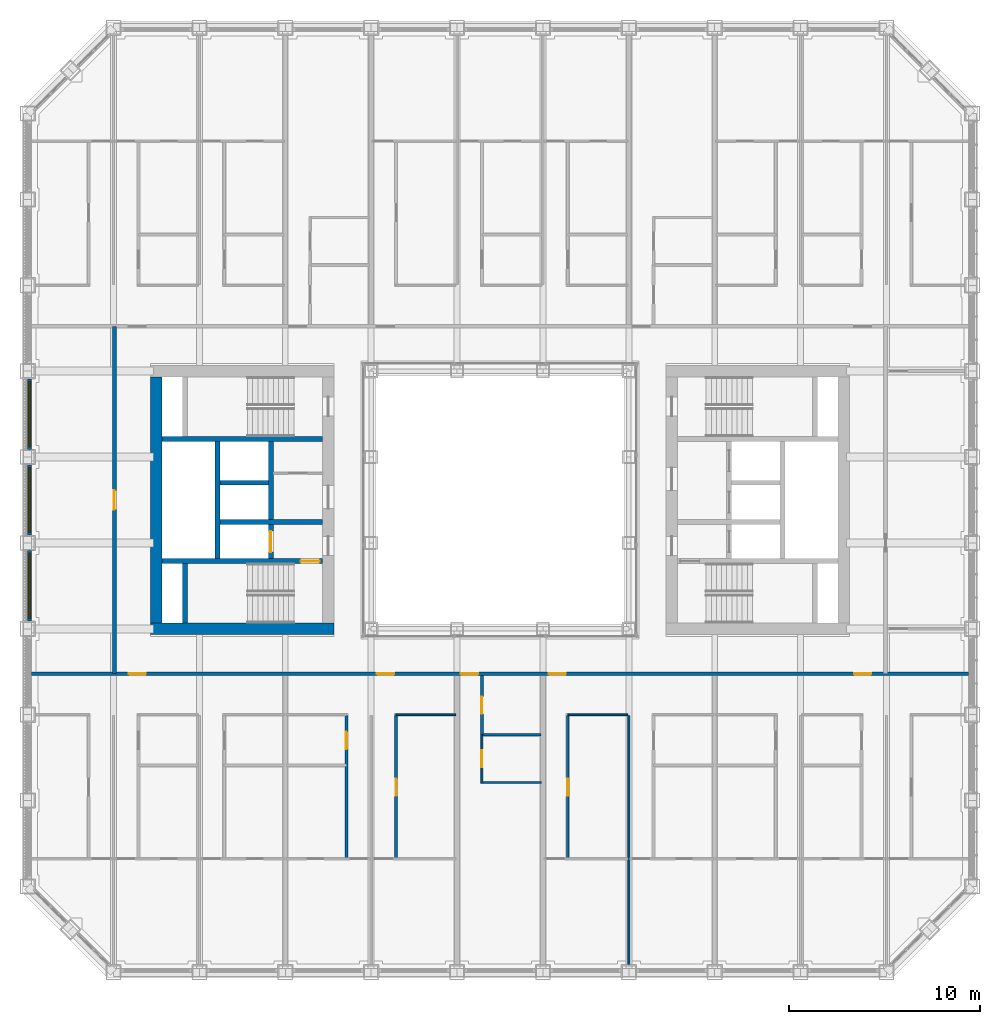
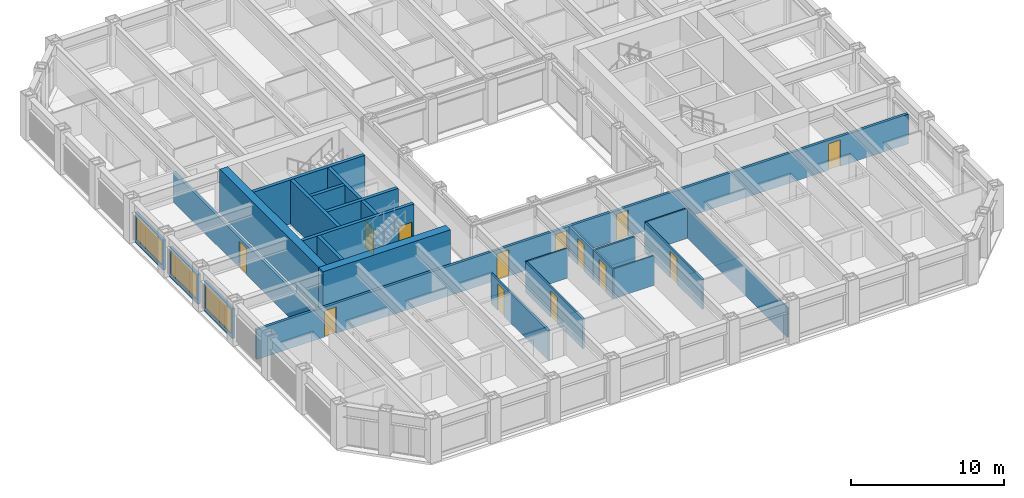
# One storey, part 10 of 20: 24 walls, 13 doors, 3 windows, 16 openings.
"""IFC4 building model written with IfcOpenShell, lengths in metres."""

from ifc_helpers import new_model, si_unit, direction, frame, frame_2d, origin, place, context, subcontext, project, spatial, rectangle, extrude, material, layer, layer_set, type_object, element, fill, save


model = new_model("IFC4")

# Units and contexts
model_context = context("Model", 3, precision=1e-05, world=origin(), true_north=direction((0.0, 1.0)))
body_context = subcontext(model_context, "Body", "Model", "MODEL_VIEW")
ifc_project = project(units=[si_unit("LENGTHUNIT", "METRE"), si_unit("AREAUNIT", "SQUARE_METRE"), si_unit("VOLUMEUNIT", "CUBIC_METRE"), si_unit("PLANEANGLEUNIT", "RADIAN"), si_unit("MASSUNIT", "GRAM", prefix="KILO")], contexts=[model_context])

# Site, building, storey
site_placement = place(None, origin())
site = spatial("IfcSite", under=ifc_project, at=site_placement, CompositionType="ELEMENT")
building_placement = place(site_placement, origin())
building = spatial("IfcBuilding", under=site, at=building_placement, Name="Msasa Ring Tower", CompositionType="ELEMENT")
storey_placement = place(building_placement, frame((0.0, 0.0, 61.5)))
storey = spatial("IfcBuildingStorey", under=building, at=storey_placement, Name="L15", CompositionType="ELEMENT", Elevation=61.5)

# Walls
ifc_material_1 = material(Name="Concrete C60/75", Category="concrete")
ifc_layer_1 = layer(ifc_material_1, 0.60009765625)
ifc_layer_set_1 = layer_set([ifc_layer_1], Name="CW1 CORE WALL 600")
wall_type_1 = type_object("IfcWallType", Name="CW1 CORE WALL 600", PredefinedType="SHEAR", material=ifc_layer_set_1)
wall_1_placement = place(storey_placement, frame((-8.699951171875, -6.75, 0.0), z_axis=(0.0, 0.0, 1.0), x_axis=(-1.0, 0.0, 0.0)))
element("IfcWall", 1, at=wall_1_placement, inside=storey, type_object=wall_type_1, Name="W core wall S L15", PredefinedType="SHEAR", context=body_context, shape_type="SweptSolid", body=[
    extrude(rectangle(XDim=9.60009765625, YDim=0.60009765625, at=frame_2d((4.800048828125, 0.0))), origin(), (0.0, 0.0, 1.0), 3.5),
])
wall_2_placement = place(storey_placement, frame((-18.0, -6.449951171875, 0.0), z_axis=(0.0, 0.0, 1.0), x_axis=(0.0, 1.0, 0.0)))
element("IfcWall", 2, at=wall_2_placement, inside=storey, type_object=wall_type_1, Name="W core wall E L15", PredefinedType="SHEAR", context=body_context, shape_type="SweptSolid", body=[
    extrude(rectangle(XDim=12.89990234375, YDim=0.60009765625, at=frame_2d((6.449951171875, 0.0))), origin(), (0.0, 0.0, 1.0), 3.5),
])

# Wall, opening, door
ifc_material_2 = material(Name="Concrete C60/75", Category="concrete")
ifc_layer_2 = layer(ifc_material_2, 0.25)
ifc_layer_set_2 = layer_set([ifc_layer_2], Name="CW4 CORE INNER WALL 250")
wall_type_2 = type_object("IfcWallType", Name="CW4 CORE INNER WALL 250", PredefinedType="SHEAR", material=ifc_layer_set_2)
wall_3_placement = place(storey_placement, frame((-9.300048828125, -3.199951171875, 0.0), z_axis=(0.0, 0.0, 1.0), x_axis=(-1.0, 0.0, 0.0)))
wall_3 = element("IfcWall", 3, at=wall_3_placement, inside=storey, type_object=wall_type_2, Name="W core wall STAIRA L15", PredefinedType="SHEAR", context=body_context, shape_type="SweptSolid", body=[
    extrude(rectangle(XDim=8.39990234375, YDim=0.25, at=frame_2d((4.199951171875, 0.0))), origin(), (0.0, 0.0, 1.0), 3.5),
])
opening_1_placement = place(wall_3_placement, frame((0.14990234375, 0.0, 0.0)))
opening_1 = element("IfcOpeningElement", 4, at=opening_1_placement, cuts=wall_3, Name="Opening RD-044", PredefinedType="OPENING", context=body_context, shape_type="SweptSolid", body=[
    extrude(rectangle(XDim=1.0, YDim=2.10009765625, at=frame_2d((0.5, 1.050048828125))), frame((0.0, 0.135009765625, 0.0), z_axis=(0.0, -1.0, 0.0), x_axis=(1.0, 0.0, 0.0)), (0.0, 0.0, 1.0), 0.27001953125),
])
ifc_material_3 = material(Name="Timber door leaf in a steel frame", Category="steel")
door_type_1 = type_object("IfcDoorType", Name="D6 STAIR DOOR 1000x2100", OperationType="SINGLE_SWING_LEFT", PredefinedType="DOOR", material=ifc_material_3)
door_1_placement = place(opening_1_placement, origin())
door_1 = element("IfcDoor", 5, at=door_1_placement, inside=storey, type_object=door_type_1, Name="Door L15-WSTA", OperationType="SINGLE_SWING_LEFT", OverallHeight=2.10009765625, OverallWidth=1.0, PredefinedType="DOOR", context=body_context, shape_type="SweptSolid", body=[
    extrude(rectangle(XDim=1.0, YDim=2.10009765625, at=frame_2d((0.5, 1.050048828125))), frame((0.0, 0.02490234375, 0.0), z_axis=(0.0, -1.0, 0.0), x_axis=(1.0, 0.0, 0.0)), (0.0, 0.0, 1.0), 0.050048828125),
])
fill(opening_1, door_1)

# Walls
wall_4_placement = place(storey_placement, frame((-9.300048828125, 3.199951171875, 0.0), z_axis=(0.0, 0.0, 1.0), x_axis=(-1.0, 0.0, 0.0)))
element("IfcWall", 6, at=wall_4_placement, inside=storey, type_object=wall_type_2, Name="W core wall STAIRB L15", PredefinedType="SHEAR", context=body_context, shape_type="SweptSolid", body=[
    extrude(rectangle(XDim=8.39990234375, YDim=0.25, at=frame_2d((4.199951171875, 0.0))), origin(), (0.0, 0.0, 1.0), 3.5),
])
wall_5_placement = place(storey_placement, frame((-16.5, -6.449951171875, 0.0), z_axis=(0.0, 0.0, 1.0), x_axis=(0.0, 1.0, 0.0)))
element("IfcWall", 7, at=wall_5_placement, inside=storey, type_object=wall_type_2, Name="W core wall RISERA L15", PredefinedType="SHEAR", context=body_context, shape_type="SweptSolid", body=[
    extrude(rectangle(XDim=3.125, YDim=0.25, at=frame_2d((1.5625, 0.0))), origin(), (0.0, 0.0, 1.0), 3.5),
])
wall_6_placement = place(storey_placement, frame((-9.300048828125, -1.14990234375, 0.0), z_axis=(0.0, 0.0, 1.0), x_axis=(-1.0, 0.0, 0.0)))
element("IfcWall", 8, at=wall_6_placement, inside=storey, type_object=wall_type_2, Name="W core wall FFL L15", PredefinedType="SHEAR", context=body_context, shape_type="SweptSolid", body=[
    extrude(rectangle(XDim=5.375, YDim=0.25, at=frame_2d((2.6875, 0.0))), origin(), (0.0, 0.0, 1.0), 3.5),
])

# Wall, opening, door
wall_7_placement = place(storey_placement, frame((-12.0, -3.074951171875, 0.0), z_axis=(0.0, 0.0, 1.0), x_axis=(0.0, 1.0, 0.0)))
wall_7 = element("IfcWall", 9, at=wall_7_placement, inside=storey, type_object=wall_type_2, Name="W core wall LOBBY L15", PredefinedType="SHEAR", context=body_context, shape_type="SweptSolid", body=[
    extrude(rectangle(XDim=6.14990234375, YDim=0.25, at=frame_2d((3.074951171875, 0.0))), origin(), (0.0, 0.0, 1.0), 3.5),
])
opening_2_placement = place(wall_7_placement, frame((0.35009765625, 0.0, 0.0)))
opening_2 = element("IfcOpeningElement", 10, at=opening_2_placement, cuts=wall_7, Name="Opening LD1", PredefinedType="OPENING", context=body_context, shape_type="SweptSolid", body=[
    extrude(rectangle(XDim=1.10009765625, YDim=2.10009765625, at=frame_2d((0.550048828125, 1.050048828125))), frame((0.0, 0.135009765625, 0.0), z_axis=(0.0, -1.0, 0.0), x_axis=(1.0, 0.0, 0.0)), (0.0, 0.0, 1.0), 0.27001953125),
])
ifc_material_4 = material(Name="Stainless steel lift landing door", Category="steel")
door_type_2 = type_object("IfcDoorType", Name="LD1 LIFT LANDING DOOR 1100x2100", OperationType="DOUBLE_DOOR_SLIDING", PredefinedType="DOOR", material=ifc_material_4)
door_2_placement = place(opening_2_placement, origin())
door_2 = element("IfcDoor", 11, at=door_2_placement, inside=storey, type_object=door_type_2, Name="Lift landing door FL-W L15", OperationType="DOUBLE_DOOR_SLIDING", OverallHeight=2.10009765625, OverallWidth=1.10009765625, PredefinedType="DOOR", context=body_context, shape_type="SweptSolid", body=[
    extrude(rectangle(XDim=1.10009765625, YDim=2.10009765625, at=frame_2d((0.550048828125, 1.050048828125))), frame((0.0, 0.02490234375, 0.0), z_axis=(0.0, -1.0, 0.0), x_axis=(1.0, 0.0, 0.0)), (0.0, 0.0, 1.0), 0.050048828125),
])
fill(opening_2, door_2)

# Walls
wall_8_placement = place(storey_placement, frame((-14.800048828125, -3.074951171875, 0.0), z_axis=(0.0, 0.0, 1.0), x_axis=(0.0, 1.0, 0.0)))
element("IfcWall", 12, at=wall_8_placement, inside=storey, type_object=wall_type_2, Name="W core wall SHAFT L15", PredefinedType="SHEAR", context=body_context, shape_type="SweptSolid", body=[
    extrude(rectangle(XDim=6.14990234375, YDim=0.25, at=frame_2d((3.074951171875, 0.0))), origin(), (0.0, 0.0, 1.0), 3.5),
])
wall_9_placement = place(storey_placement, frame((-12.125, 0.89990234375, 0.0), z_axis=(0.0, 0.0, 1.0), x_axis=(-1.0, 0.0, 0.0)))
element("IfcWall", 13, at=wall_9_placement, inside=storey, type_object=wall_type_2, Name="W core wall LIFT1 L15", PredefinedType="SHEAR", context=body_context, shape_type="SweptSolid", body=[
    extrude(rectangle(XDim=2.550048828125, YDim=0.25, at=frame_2d((1.27490234375, 0.0))), origin(), (0.0, 0.0, 1.0), 3.5),
])

# Wall, opening, window
ifc_material_5 = material(Name="Terracotta rainscreen on blockwork", Category="masonry")
ifc_layer_3 = layer(ifc_material_5, 0.199951171875)
ifc_layer_set_3 = layer_set([ifc_layer_3], Name="FW1 TERRACOTTA-LINED INFILL BAY WALL 200")
wall_type_3 = type_object("IfcWallType", Name="FW1 TERRACOTTA-LINED INFILL BAY WALL 200", PredefinedType="SOLIDWALL", material=ifc_layer_set_3)
wall_10_placement = place(storey_placement, frame((-24.64990234375, -6.344970703125, 0.0), z_axis=(0.0, 0.0, 1.0), x_axis=(0.0, 1.0, 0.0)))
wall_10 = element("IfcWall", 14, at=wall_10_placement, inside=storey, type_object=wall_type_3, Name="Infill bay wall W L15 36", PredefinedType="SOLIDWALL", context=body_context, shape_type="SweptSolid", body=[
    extrude(rectangle(XDim=3.68994140625, YDim=0.199951171875, at=frame_2d((1.844970703125, 0.0))), origin(), (0.0, 0.0, 1.0), 2.37890625),
])
opening_3_placement = place(wall_10_placement, frame((0.14501953125, 0.0, 0.300048828125)))
opening_3 = element("IfcOpeningElement", 15, at=opening_3_placement, cuts=wall_10, Name="Opening WN1", PredefinedType="OPENING", context=body_context, shape_type="SweptSolid", body=[
    extrude(rectangle(XDim=3.39990234375, YDim=1.928955078125, at=frame_2d((1.699951171875, 0.96435546875))), frame((0.0, 0.10986328125, 0.0), z_axis=(0.0, -1.0, 0.0), x_axis=(1.0, 0.0, 0.0)), (0.0, 0.0, 1.0), 0.219970703125),
])
ifc_material_6 = material(Name="Aluminium frame with clear glass", Category="aluminium")
window_type = type_object("IfcWindowType", Name="WN1 RESIDENCE WINDOW 3400x1929", PartitioningType="SINGLE_PANEL", PredefinedType="WINDOW", material=ifc_material_6)
window_1_placement = place(opening_3_placement, origin())
window_1 = element("IfcWindow", 16, at=window_1_placement, inside=storey, type_object=window_type, Name="Window W L15 36", OverallHeight=1.928955078125, OverallWidth=3.39990234375, PartitioningType="SINGLE_PANEL", PredefinedType="WINDOW", context=body_context, shape_type="SweptSolid", body=[
    extrude(rectangle(XDim=3.39990234375, YDim=1.928955078125, at=frame_2d((1.699951171875, 0.96435546875))), frame((0.0, 0.030029296875, 0.0), z_axis=(0.0, -1.0, 0.0), x_axis=(1.0, 0.0, 0.0)), (0.0, 0.0, 1.0), 0.06005859375),
])
fill(opening_3, window_1)

wall_11_placement = place(storey_placement, frame((-24.64990234375, -1.844970703125, 0.0), z_axis=(0.0, 0.0, 1.0), x_axis=(0.0, 1.0, 0.0)))
wall_11 = element("IfcWall", 17, at=wall_11_placement, inside=storey, type_object=wall_type_3, Name="Infill bay wall W L15 37", PredefinedType="SOLIDWALL", context=body_context, shape_type="SweptSolid", body=[
    extrude(rectangle(XDim=3.68994140625, YDim=0.199951171875, at=frame_2d((1.844970703125, 0.0))), origin(), (0.0, 0.0, 1.0), 2.37890625),
])
opening_4_placement = place(wall_11_placement, frame((0.14501953125, 0.0, 0.300048828125)))
opening_4 = element("IfcOpeningElement", 18, at=opening_4_placement, cuts=wall_11, Name="Opening WN1", PredefinedType="OPENING", context=body_context, shape_type="SweptSolid", body=[
    extrude(rectangle(XDim=3.39990234375, YDim=1.928955078125, at=frame_2d((1.699951171875, 0.96435546875))), frame((0.0, 0.10986328125, 0.0), z_axis=(0.0, -1.0, 0.0), x_axis=(1.0, 0.0, 0.0)), (0.0, 0.0, 1.0), 0.219970703125),
])
window_2_placement = place(opening_4_placement, origin())
window_2 = element("IfcWindow", 19, at=window_2_placement, inside=storey, type_object=window_type, Name="Window W L15 37", OverallHeight=1.928955078125, OverallWidth=3.39990234375, PartitioningType="SINGLE_PANEL", PredefinedType="WINDOW", context=body_context, shape_type="SweptSolid", body=[
    extrude(rectangle(XDim=3.39990234375, YDim=1.928955078125, at=frame_2d((1.699951171875, 0.96435546875))), frame((0.0, 0.030029296875, 0.0), z_axis=(0.0, -1.0, 0.0), x_axis=(1.0, 0.0, 0.0)), (0.0, 0.0, 1.0), 0.06005859375),
])
fill(opening_4, window_2)

wall_12_placement = place(storey_placement, frame((-24.64990234375, 2.655029296875, 0.0), z_axis=(0.0, 0.0, 1.0), x_axis=(0.0, 1.0, 0.0)))
wall_12 = element("IfcWall", 20, at=wall_12_placement, inside=storey, type_object=wall_type_3, Name="Infill bay wall W L15 38", PredefinedType="SOLIDWALL", context=body_context, shape_type="SweptSolid", body=[
    extrude(rectangle(XDim=3.68994140625, YDim=0.199951171875, at=frame_2d((1.844970703125, 0.0))), origin(), (0.0, 0.0, 1.0), 2.37890625),
])
opening_5_placement = place(wall_12_placement, frame((0.14501953125, 0.0, 0.300048828125)))
opening_5 = element("IfcOpeningElement", 21, at=opening_5_placement, cuts=wall_12, Name="Opening WN1", PredefinedType="OPENING", context=body_context, shape_type="SweptSolid", body=[
    extrude(rectangle(XDim=3.39990234375, YDim=1.928955078125, at=frame_2d((1.699951171875, 0.96435546875))), frame((0.0, 0.10986328125, 0.0), z_axis=(0.0, -1.0, 0.0), x_axis=(1.0, 0.0, 0.0)), (0.0, 0.0, 1.0), 0.219970703125),
])
window_3_placement = place(opening_5_placement, origin())
window_3 = element("IfcWindow", 22, at=window_3_placement, inside=storey, type_object=window_type, Name="Window W L15 38", OverallHeight=1.928955078125, OverallWidth=3.39990234375, PartitioningType="SINGLE_PANEL", PredefinedType="WINDOW", context=body_context, shape_type="SweptSolid", body=[
    extrude(rectangle(XDim=3.39990234375, YDim=1.928955078125, at=frame_2d((1.699951171875, 0.96435546875))), frame((0.0, 0.030029296875, 0.0), z_axis=(0.0, -1.0, 0.0), x_axis=(1.0, 0.0, 0.0)), (0.0, 0.0, 1.0), 0.06005859375),
])
fill(opening_5, window_3)

# Wall, openings, doors
ifc_material_7 = material(Name="Concrete blockwork", Category="masonry")
ifc_layer_4 = layer(ifc_material_7, 0.199951171875)
ifc_layer_set_4 = layer_set([ifc_layer_4], Name="PT1 CORRIDOR WALL 200")
wall_type_4 = type_object("IfcWallType", Name="PT1 CORRIDOR WALL 200", PredefinedType="PARTITIONING", material=ifc_layer_set_4)
wall_13_placement = place(storey_placement, frame((-24.550048828125, -9.10009765625, 0.0), z_axis=(0.0, 0.0, 1.0), x_axis=(1.0, 0.0, 0.0)))
wall_13 = element("IfcWall", 23, at=wall_13_placement, inside=storey, type_object=wall_type_4, Name="Corridor wall L15-CORRS0", PredefinedType="PARTITIONING", context=body_context, shape_type="SweptSolid", body=[
    extrude(rectangle(XDim=49.10009765625, YDim=0.199951171875, at=frame_2d((24.550048828125, 0.0))), origin(), (0.0, 0.0, 1.0), 2.373291015625),
])
opening_6_placement = place(wall_13_placement, frame((5.10009765625, 0.0, 0.0)))
opening_6 = element("IfcOpeningElement", 24, at=opening_6_placement, cuts=wall_13, Name="Opening RD-047", PredefinedType="OPENING", context=body_context, shape_type="SweptSolid", body=[
    extrude(rectangle(XDim=0.89990234375, YDim=2.10009765625, at=frame_2d((0.449951171875, 1.050048828125))), frame((0.0, 0.10986328125, 0.0), z_axis=(0.0, -1.0, 0.0), x_axis=(1.0, 0.0, 0.0)), (0.0, 0.0, 1.0), 0.219970703125),
])
opening_7_placement = place(wall_13_placement, frame((18.10009765625, 0.0, 0.0)))
opening_7 = element("IfcOpeningElement", 25, at=opening_7_placement, cuts=wall_13, Name="Opening RD-048", PredefinedType="OPENING", context=body_context, shape_type="SweptSolid", body=[
    extrude(rectangle(XDim=0.89990234375, YDim=2.10009765625, at=frame_2d((0.449951171875, 1.050048828125))), frame((0.0, 0.10986328125, 0.0), z_axis=(0.0, -1.0, 0.0), x_axis=(1.0, 0.0, 0.0)), (0.0, 0.0, 1.0), 0.219970703125),
])
opening_8_placement = place(wall_13_placement, frame((22.5, 0.0, 0.0)))
opening_8 = element("IfcOpeningElement", 26, at=opening_8_placement, cuts=wall_13, Name="Opening RD-049", PredefinedType="OPENING", context=body_context, shape_type="SweptSolid", body=[
    extrude(rectangle(XDim=0.89990234375, YDim=2.10009765625, at=frame_2d((0.449951171875, 1.050048828125))), frame((0.0, 0.10986328125, 0.0), z_axis=(0.0, -1.0, 0.0), x_axis=(1.0, 0.0, 0.0)), (0.0, 0.0, 1.0), 0.219970703125),
])
opening_9_placement = place(wall_13_placement, frame((27.10009765625, 0.0, 0.0)))
opening_9 = element("IfcOpeningElement", 27, at=opening_9_placement, cuts=wall_13, Name="Opening RD-050", PredefinedType="OPENING", context=body_context, shape_type="SweptSolid", body=[
    extrude(rectangle(XDim=0.89990234375, YDim=2.10009765625, at=frame_2d((0.449951171875, 1.050048828125))), frame((0.0, 0.10986328125, 0.0), z_axis=(0.0, -1.0, 0.0), x_axis=(1.0, 0.0, 0.0)), (0.0, 0.0, 1.0), 0.219970703125),
])
opening_10_placement = place(wall_13_placement, frame((43.10009765625, 0.0, 0.0)))
opening_10 = element("IfcOpeningElement", 28, at=opening_10_placement, cuts=wall_13, Name="Opening RD-051", PredefinedType="OPENING", context=body_context, shape_type="SweptSolid", body=[
    extrude(rectangle(XDim=0.89990234375, YDim=2.10009765625, at=frame_2d((0.449951171875, 1.050048828125))), frame((0.0, 0.10986328125, 0.0), z_axis=(0.0, -1.0, 0.0), x_axis=(1.0, 0.0, 0.0)), (0.0, 0.0, 1.0), 0.219970703125),
])
ifc_material_8 = material(Name="Timber door leaf in a steel frame", Category="steel")
door_type_3 = type_object("IfcDoorType", Name="D2 ENTRANCE DOOR 900x2100", OperationType="SINGLE_SWING_LEFT", PredefinedType="DOOR", material=ifc_material_8)
door_3_placement = place(opening_6_placement, origin())
door_3 = element("IfcDoor", 29, at=door_3_placement, inside=storey, type_object=door_type_3, Name="Door L15-US00", OperationType="SINGLE_SWING_LEFT", OverallHeight=2.10009765625, OverallWidth=0.89990234375, PredefinedType="DOOR", context=body_context, shape_type="SweptSolid", body=[
    extrude(rectangle(XDim=0.89990234375, YDim=2.10009765625, at=frame_2d((0.449951171875, 1.050048828125))), frame((0.0, 0.02490234375, 0.0), z_axis=(0.0, -1.0, 0.0), x_axis=(1.0, 0.0, 0.0)), (0.0, 0.0, 1.0), 0.050048828125),
])
fill(opening_6, door_3)
door_4_placement = place(opening_7_placement, origin())
door_4 = element("IfcDoor", 30, at=door_4_placement, inside=storey, type_object=door_type_3, Name="Door L15-US01", OperationType="SINGLE_SWING_LEFT", OverallHeight=2.10009765625, OverallWidth=0.89990234375, PredefinedType="DOOR", context=body_context, shape_type="SweptSolid", body=[
    extrude(rectangle(XDim=0.89990234375, YDim=2.10009765625, at=frame_2d((0.449951171875, 1.050048828125))), frame((0.0, 0.02490234375, 0.0), z_axis=(0.0, -1.0, 0.0), x_axis=(1.0, 0.0, 0.0)), (0.0, 0.0, 1.0), 0.050048828125),
])
fill(opening_7, door_4)
door_5_placement = place(opening_8_placement, origin())
door_5 = element("IfcDoor", 31, at=door_5_placement, inside=storey, type_object=door_type_3, Name="Door L15-US02", OperationType="SINGLE_SWING_LEFT", OverallHeight=2.10009765625, OverallWidth=0.89990234375, PredefinedType="DOOR", context=body_context, shape_type="SweptSolid", body=[
    extrude(rectangle(XDim=0.89990234375, YDim=2.10009765625, at=frame_2d((0.449951171875, 1.050048828125))), frame((0.0, 0.02490234375, 0.0), z_axis=(0.0, -1.0, 0.0), x_axis=(1.0, 0.0, 0.0)), (0.0, 0.0, 1.0), 0.050048828125),
])
fill(opening_8, door_5)
door_6_placement = place(opening_9_placement, origin())
door_6 = element("IfcDoor", 32, at=door_6_placement, inside=storey, type_object=door_type_3, Name="Door L15-US03", OperationType="SINGLE_SWING_RIGHT", OverallHeight=2.10009765625, OverallWidth=0.89990234375, PredefinedType="DOOR", context=body_context, shape_type="SweptSolid", body=[
    extrude(rectangle(XDim=0.89990234375, YDim=2.10009765625, at=frame_2d((0.449951171875, 1.050048828125))), frame((0.0, 0.02490234375, 0.0), z_axis=(0.0, -1.0, 0.0), x_axis=(1.0, 0.0, 0.0)), (0.0, 0.0, 1.0), 0.050048828125),
])
fill(opening_9, door_6)
door_7_placement = place(opening_10_placement, origin())
door_7 = element("IfcDoor", 33, at=door_7_placement, inside=storey, type_object=door_type_3, Name="Door L15-US04", OperationType="SINGLE_SWING_RIGHT", OverallHeight=2.10009765625, OverallWidth=0.89990234375, PredefinedType="DOOR", context=body_context, shape_type="SweptSolid", body=[
    extrude(rectangle(XDim=0.89990234375, YDim=2.10009765625, at=frame_2d((0.449951171875, 1.050048828125))), frame((0.0, 0.02490234375, 0.0), z_axis=(0.0, -1.0, 0.0), x_axis=(1.0, 0.0, 0.0)), (0.0, 0.0, 1.0), 0.050048828125),
])
fill(opening_10, door_7)

# Wall, opening, door
wall_14_placement = place(storey_placement, frame((-20.199951171875, -9.10009765625, 0.0), z_axis=(0.0, 0.0, 1.0), x_axis=(0.0, 1.0, 0.0)))
wall_14 = element("IfcWall", 34, at=wall_14_placement, inside=storey, type_object=wall_type_4, Name="Corridor wall L15-STRW", PredefinedType="PARTITIONING", context=body_context, shape_type="SweptSolid", body=[
    extrude(rectangle(XDim=18.2001953125, YDim=0.199951171875, at=frame_2d((9.10009765625, 0.0))), origin(), (0.0, 0.0, 1.0), 2.373291015625),
])
opening_11_placement = place(wall_14_placement, frame((8.60009765625, 0.0, 0.0)))
opening_11 = element("IfcOpeningElement", 35, at=opening_11_placement, cuts=wall_14, Name="Opening RD-040", PredefinedType="OPENING", context=body_context, shape_type="SweptSolid", body=[
    extrude(rectangle(XDim=1.0, YDim=2.10009765625, at=frame_2d((0.5, 1.050048828125))), frame((0.0, 0.10986328125, 0.0), z_axis=(0.0, -1.0, 0.0), x_axis=(1.0, 0.0, 0.0)), (0.0, 0.0, 1.0), 0.219970703125),
])
ifc_material_9 = material(Name="Timber door leaf in a steel frame", Category="steel")
door_type_4 = type_object("IfcDoorType", Name="D10 STORE DOOR 1000x2100", OperationType="SINGLE_SWING_LEFT", PredefinedType="DOOR", material=ifc_material_9)
door_8_placement = place(opening_11_placement, origin())
door_8 = element("IfcDoor", 36, at=door_8_placement, inside=storey, type_object=door_type_4, Name="Door L15-RSW", OperationType="SINGLE_SWING_LEFT", OverallHeight=2.10009765625, OverallWidth=1.0, PredefinedType="DOOR", context=body_context, shape_type="SweptSolid", body=[
    extrude(rectangle(XDim=1.0, YDim=2.10009765625, at=frame_2d((0.5, 1.050048828125))), frame((0.0, 0.02490234375, 0.0), z_axis=(0.0, -1.0, 0.0), x_axis=(1.0, 0.0, 0.0)), (0.0, 0.0, 1.0), 0.050048828125),
])
fill(opening_11, door_8)

# Walls
ifc_material_10 = material(Name="Gypsum board on steel studs", Category="steel")
ifc_layer_5 = layer(ifc_material_10, 0.10009765625)
ifc_layer_set_5 = layer_set([ifc_layer_5], Name="PT2 STUD PARTITION 100")
wall_type_5 = type_object("IfcWallType", Name="PT2 STUD PARTITION 100", PredefinedType="PARTITIONING", material=ifc_layer_set_5)
wall_15_placement = place(storey_placement, frame((-5.449951171875, -11.25, 0.0), z_axis=(0.0, 0.0, 1.0), x_axis=(1.0, 0.0, 0.0)))
element("IfcWall", 37, at=wall_15_placement, inside=storey, type_object=wall_type_5, Name="Partition L15-US01HY0", PredefinedType="PARTITIONING", context=body_context, shape_type="SweptSolid", body=[
    extrude(rectangle(XDim=3.139892578125, YDim=0.10009765625, at=frame_2d((1.56982421875, 0.0))), origin(), (0.0, 0.0, 1.0), 2.373291015625),
])
wall_16_placement = place(storey_placement, frame((-0.89990234375, -14.800048828125, 0.0), z_axis=(0.0, 0.0, 1.0), x_axis=(1.0, 0.0, 0.0)))
element("IfcWall", 38, at=wall_16_placement, inside=storey, type_object=wall_type_5, Name="Partition L15-US02KY", PredefinedType="PARTITIONING", context=body_context, shape_type="SweptSolid", body=[
    extrude(rectangle(XDim=3.0498046875, YDim=0.10009765625, at=frame_2d((1.52490234375, 0.0))), origin(), (0.0, 0.0, 1.0), 2.373291015625),
])

# Wall, opening, door
wall_17_placement = place(storey_placement, frame((-0.949951171875, -14.85009765625, 0.0), z_axis=(0.0, 0.0, 1.0), x_axis=(0.0, 1.0, 0.0)))
wall_17 = element("IfcWall", 39, at=wall_17_placement, inside=storey, type_object=wall_type_5, Name="Partition L15-US02KX", PredefinedType="PARTITIONING", context=body_context, shape_type="SweptSolid", body=[
    extrude(rectangle(XDim=2.550048828125, YDim=0.10009765625, at=frame_2d((1.27490234375, 0.0))), origin(), (0.0, 0.0, 1.0), 2.373291015625),
])
opening_12_placement = place(wall_17_placement, frame((0.840087890625, 0.0, 0.0)))
opening_12 = element("IfcOpeningElement", 40, at=opening_12_placement, cuts=wall_17, Name="Opening RD-059", PredefinedType="OPENING", context=body_context, shape_type="SweptSolid", body=[
    extrude(rectangle(XDim=0.89990234375, YDim=2.10009765625, at=frame_2d((0.449951171875, 1.050048828125))), frame((0.0, 0.06005859375, 0.0), z_axis=(0.0, -1.0, 0.0), x_axis=(1.0, 0.0, 0.0)), (0.0, 0.0, 1.0), 0.1201171875),
])
ifc_material_11 = material(Name="Timber door leaf in a steel frame", Category="steel")
door_type_5 = type_object("IfcDoorType", Name="D22 INTERNAL HALL DOOR 900x2100", OperationType="SINGLE_SWING_LEFT", PredefinedType="DOOR", material=ifc_material_11)
door_9_placement = place(opening_12_placement, origin())
door_9 = element("IfcDoor", 41, at=door_9_placement, inside=storey, type_object=door_type_5, Name="Door L15-US02K", OperationType="SINGLE_SWING_LEFT", OverallHeight=2.10009765625, OverallWidth=0.89990234375, PredefinedType="DOOR", context=body_context, shape_type="SweptSolid", body=[
    extrude(rectangle(XDim=0.89990234375, YDim=2.10009765625, at=frame_2d((0.449951171875, 1.050048828125))), frame((0.0, 0.02490234375, 0.0), z_axis=(0.0, -1.0, 0.0), x_axis=(1.0, 0.0, 0.0)), (0.0, 0.0, 1.0), 0.050048828125),
])
fill(opening_12, door_9)

# Walls
wall_18_placement = place(storey_placement, frame((3.550048828125, -11.25, 0.0), z_axis=(0.0, 0.0, 1.0), x_axis=(1.0, 0.0, 0.0)))
element("IfcWall", 42, at=wall_18_placement, inside=storey, type_object=wall_type_5, Name="Partition L15-US03HY0", PredefinedType="PARTITIONING", context=body_context, shape_type="SweptSolid", body=[
    extrude(rectangle(XDim=3.139892578125, YDim=0.10009765625, at=frame_2d((1.56982421875, 0.0))), origin(), (0.0, 0.0, 1.0), 2.373291015625),
])
wall_19_placement = place(storey_placement, frame((6.75, -24.35009765625, 0.0), z_axis=(0.0, 0.0, 1.0), x_axis=(0.0, 1.0, 0.0)))
element("IfcWall", 43, at=wall_19_placement, inside=storey, type_object=wall_type_5, Name="Partition L15-US03P1", PredefinedType="PARTITIONING", context=body_context, shape_type="SweptSolid", body=[
    extrude(rectangle(XDim=13.050048828125, YDim=0.10009765625, at=frame_2d((6.52490234375, 0.0))), origin(), (0.0, 0.0, 1.0), 2.373291015625),
])

# Wall, opening, door
ifc_material_12 = material(Name="Moisture-resistant board on steel studs with a concealed cistern and pipe void, tiled", Category="steel")
ifc_layer_6 = layer(ifc_material_12, 0.14990234375)
ifc_layer_set_6 = layer_set([ifc_layer_6], Name="PT4 BATHROOM WET WALL 150")
wall_type_6 = type_object("IfcWallType", Name="PT4 BATHROOM WET WALL 150", PredefinedType="PARTITIONING", material=ifc_layer_set_6)
wall_20_placement = place(storey_placement, frame((-5.449951171875, -18.800048828125, 0.0), z_axis=(0.0, 0.0, 1.0), x_axis=(0.0, 1.0, 0.0)))
wall_20 = element("IfcWall", 44, at=wall_20_placement, inside=storey, type_object=wall_type_6, Name="Partition L15-US01SX0", PredefinedType="PARTITIONING", context=body_context, shape_type="SweptSolid", body=[
    extrude(rectangle(XDim=7.5, YDim=0.14990234375, at=frame_2d((3.75, 0.0))), origin(), (0.0, 0.0, 1.0), 2.373291015625),
])
opening_13_placement = place(wall_20_placement, frame((3.300048828125, 0.0, 0.0)))
opening_13 = element("IfcOpeningElement", 45, at=opening_13_placement, cuts=wall_20, Name="Opening RD-061", PredefinedType="OPENING", context=body_context, shape_type="SweptSolid", body=[
    extrude(rectangle(XDim=0.89990234375, YDim=2.10009765625, at=frame_2d((0.449951171875, 1.050048828125))), frame((0.0, 0.0849609375, 0.0), z_axis=(0.0, -1.0, 0.0), x_axis=(1.0, 0.0, 0.0)), (0.0, 0.0, 1.0), 0.169921875),
])
door_10_placement = place(opening_13_placement, origin())
door_10 = element("IfcDoor", 46, at=door_10_placement, inside=storey, type_object=door_type_5, Name="Door L15-US01K", OperationType="SINGLE_SWING_LEFT", OverallHeight=2.10009765625, OverallWidth=0.89990234375, PredefinedType="DOOR", context=body_context, shape_type="SweptSolid", body=[
    extrude(rectangle(XDim=0.89990234375, YDim=2.10009765625, at=frame_2d((0.449951171875, 1.050048828125))), frame((0.0, 0.02490234375, 0.0), z_axis=(0.0, -1.0, 0.0), x_axis=(1.0, 0.0, 0.0)), (0.0, 0.0, 1.0), 0.050048828125),
])
fill(opening_13, door_10)

wall_21_placement = place(storey_placement, frame((-8.050048828125, -18.800048828125, 0.0), z_axis=(0.0, 0.0, 1.0), x_axis=(0.0, 1.0, 0.0)))
wall_21 = element("IfcWall", 47, at=wall_21_placement, inside=storey, type_object=wall_type_6, Name="Partition L15-US01SX1", PredefinedType="PARTITIONING", context=body_context, shape_type="SweptSolid", body=[
    extrude(rectangle(XDim=7.5, YDim=0.14990234375, at=frame_2d((3.75, 0.0))), origin(), (0.0, 0.0, 1.0), 2.373291015625),
])
opening_14_placement = place(wall_21_placement, frame((5.75, 0.0, 0.0)))
opening_14 = element("IfcOpeningElement", 48, at=opening_14_placement, cuts=wall_21, Name="Opening RD-055", PredefinedType="OPENING", context=body_context, shape_type="SweptSolid", body=[
    extrude(rectangle(XDim=0.89990234375, YDim=2.10009765625, at=frame_2d((0.449951171875, 1.050048828125))), frame((0.0, 0.0849609375, 0.0), z_axis=(0.0, -1.0, 0.0), x_axis=(1.0, 0.0, 0.0)), (0.0, 0.0, 1.0), 0.169921875),
])
ifc_material_13 = material(Name="Timber door leaf in a steel frame", Category="steel")
door_type_6 = type_object("IfcDoorType", Name="D3 BATHROOM DOOR 900x2100", OperationType="SINGLE_SWING_LEFT", PredefinedType="DOOR", material=ifc_material_13)
door_11_placement = place(opening_14_placement, origin())
door_11 = element("IfcDoor", 49, at=door_11_placement, inside=storey, type_object=door_type_6, Name="Door L15-US01B1", OperationType="SINGLE_SWING_RIGHT", OverallHeight=2.10009765625, OverallWidth=0.89990234375, PredefinedType="DOOR", context=body_context, shape_type="SweptSolid", body=[
    extrude(rectangle(XDim=0.89990234375, YDim=2.10009765625, at=frame_2d((0.449951171875, 1.050048828125))), frame((0.0, 0.02490234375, 0.0), z_axis=(0.0, -1.0, 0.0), x_axis=(1.0, 0.0, 0.0)), (0.0, 0.0, 1.0), 0.050048828125),
])
fill(opening_14, door_11)

wall_22_placement = place(storey_placement, frame((-0.949951171875, -12.35009765625, 0.0), z_axis=(0.0, 0.0, 1.0), x_axis=(0.0, 1.0, 0.0)))
wall_22 = element("IfcWall", 50, at=wall_22_placement, inside=storey, type_object=wall_type_6, Name="Partition L15-US02BX", PredefinedType="PARTITIONING", context=body_context, shape_type="SweptSolid", body=[
    extrude(rectangle(XDim=3.150146484375, YDim=0.14990234375, at=frame_2d((1.5751953125, 0.0))), origin(), (0.0, 0.0, 1.0), 2.373291015625),
])
opening_15_placement = place(wall_22_placement, frame((1.14990234375, 0.0, 0.0)))
opening_15 = element("IfcOpeningElement", 51, at=opening_15_placement, cuts=wall_22, Name="Opening RD-052", PredefinedType="OPENING", context=body_context, shape_type="SweptSolid", body=[
    extrude(rectangle(XDim=0.89990234375, YDim=2.10009765625, at=frame_2d((0.449951171875, 1.050048828125))), frame((0.0, 0.0849609375, 0.0), z_axis=(0.0, -1.0, 0.0), x_axis=(1.0, 0.0, 0.0)), (0.0, 0.0, 1.0), 0.169921875),
])
door_12_placement = place(opening_15_placement, origin())
door_12 = element("IfcDoor", 52, at=door_12_placement, inside=storey, type_object=door_type_6, Name="Door L15-US02B", OperationType="SINGLE_SWING_LEFT", OverallHeight=2.10009765625, OverallWidth=0.89990234375, PredefinedType="DOOR", context=body_context, shape_type="SweptSolid", body=[
    extrude(rectangle(XDim=0.89990234375, YDim=2.10009765625, at=frame_2d((0.449951171875, 1.050048828125))), frame((0.0, 0.02490234375, 0.0), z_axis=(0.0, -1.0, 0.0), x_axis=(1.0, 0.0, 0.0)), (0.0, 0.0, 1.0), 0.050048828125),
])
fill(opening_15, door_12)

# Wall
wall_23_placement = place(storey_placement, frame((-0.89990234375, -12.300048828125, 0.0), z_axis=(0.0, 0.0, 1.0), x_axis=(1.0, 0.0, 0.0)))
element("IfcWall", 53, at=wall_23_placement, inside=storey, type_object=wall_type_6, Name="Partition L15-US02BY", PredefinedType="PARTITIONING", context=body_context, shape_type="SweptSolid", body=[
    extrude(rectangle(XDim=3.0498046875, YDim=0.14990234375, at=frame_2d((1.52490234375, 0.0))), origin(), (0.0, 0.0, 1.0), 2.373291015625),
])

# Wall, opening, door
wall_24_placement = place(storey_placement, frame((3.550048828125, -18.800048828125, 0.0), z_axis=(0.0, 0.0, 1.0), x_axis=(0.0, 1.0, 0.0)))
wall_24 = element("IfcWall", 54, at=wall_24_placement, inside=storey, type_object=wall_type_6, Name="Partition L15-US03SX0", PredefinedType="PARTITIONING", context=body_context, shape_type="SweptSolid", body=[
    extrude(rectangle(XDim=7.5, YDim=0.14990234375, at=frame_2d((3.75, 0.0))), origin(), (0.0, 0.0, 1.0), 2.373291015625),
])
opening_16_placement = place(wall_24_placement, frame((3.300048828125, 0.0, 0.0)))
opening_16 = element("IfcOpeningElement", 55, at=opening_16_placement, cuts=wall_24, Name="Opening RD-062", PredefinedType="OPENING", context=body_context, shape_type="SweptSolid", body=[
    extrude(rectangle(XDim=0.89990234375, YDim=2.10009765625, at=frame_2d((0.449951171875, 1.050048828125))), frame((0.0, 0.0849609375, 0.0), z_axis=(0.0, -1.0, 0.0), x_axis=(1.0, 0.0, 0.0)), (0.0, 0.0, 1.0), 0.169921875),
])
door_13_placement = place(opening_16_placement, origin())
door_13 = element("IfcDoor", 56, at=door_13_placement, inside=storey, type_object=door_type_5, Name="Door L15-US03K", OperationType="SINGLE_SWING_LEFT", OverallHeight=2.10009765625, OverallWidth=0.89990234375, PredefinedType="DOOR", context=body_context, shape_type="SweptSolid", body=[
    extrude(rectangle(XDim=0.89990234375, YDim=2.10009765625, at=frame_2d((0.449951171875, 1.050048828125))), frame((0.0, 0.02490234375, 0.0), z_axis=(0.0, -1.0, 0.0), x_axis=(1.0, 0.0, 0.0)), (0.0, 0.0, 1.0), 0.050048828125),
])
fill(opening_16, door_13)

save(model, "model.ifc")
